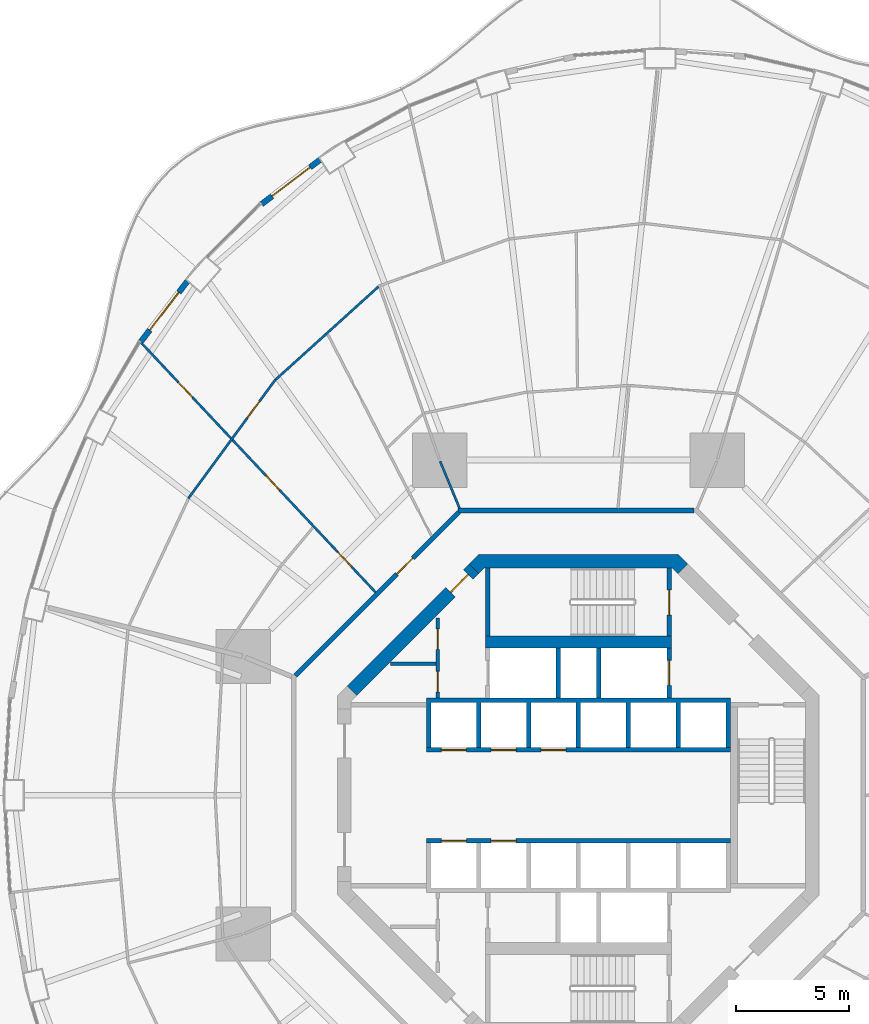
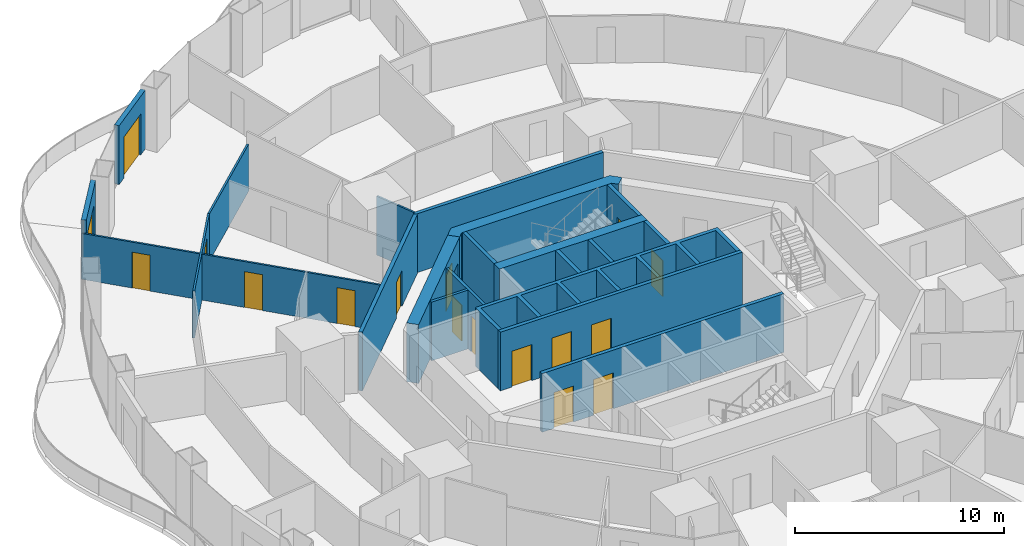
# One storey, part 17 of 22: 21 walls, 17 doors, 17 openings.
"""IFC4 building model written with IfcOpenShell, lengths in metres."""

from ifc_helpers import new_model, si_unit, direction, frame, frame_2d, origin, place, context, subcontext, project, spatial, polyline, rectangle, outline, extrude, material, layer, layer_set, type_object, element, fill, save


model = new_model("IFC4")

# Units and contexts
model_context = context("Model", 3, precision=1e-05, world=origin(), true_north=direction((0.0, 1.0)))
body_context = subcontext(model_context, "Body", "Model", "MODEL_VIEW")
ifc_project = project(units=[si_unit("LENGTHUNIT", "METRE"), si_unit("AREAUNIT", "SQUARE_METRE"), si_unit("VOLUMEUNIT", "CUBIC_METRE"), si_unit("PLANEANGLEUNIT", "RADIAN"), si_unit("MASSUNIT", "GRAM", prefix="KILO")], contexts=[model_context])

# Site, building, storey
site_placement = place(None, origin())
site = spatial("IfcSite", under=ifc_project, at=site_placement, CompositionType="ELEMENT")
building_placement = place(site_placement, origin())
building = spatial("IfcBuilding", under=site, at=building_placement, Name="Nagisa Residences", CompositionType="ELEMENT")
storey_placement = place(building_placement, frame((0.0, 0.0, 41.800048828125)))
storey = spatial("IfcBuildingStorey", under=building, at=storey_placement, Name="L09", CompositionType="ELEMENT", Elevation=41.800048828125)

# Wall
ifc_material_1 = material(Name="Gypsum board on steel studs", Category="steel")
ifc_layer_1 = layer(ifc_material_1, 0.199951171875)
ifc_layer_set_1 = layer_set([ifc_layer_1], Name="Apartment entry wall EI60 200")
wall_type_1 = type_object("IfcWallType", Name="Apartment entry wall EI60 200", PredefinedType="PARTITIONING", material=ifc_layer_set_1)
wall_1_placement = place(storey_placement, frame((5.1044921875, 12.564697265625, 0.0), z_axis=(0.0, 0.0, 1.0), x_axis=(-1.0, 0.0, 0.0)))
element("IfcWall", 1, at=wall_1_placement, inside=storey, type_object=wall_type_1, Name="wall:L09:u08", PredefinedType="PARTITIONING", context=body_context, shape_type="SweptSolid", body=[
    extrude(rectangle(XDim=10.408935546875, YDim=0.199951171875, at=frame_2d((5.20458984375, 0.0))), origin(), (0.0, 0.0, 1.0), 3.43994140625),
])

# Wall, opening, door
wall_2_placement = place(storey_placement, frame((-5.275146484375, 12.494140625, 0.0), z_axis=(0.0, 0.0, 1.0), x_axis=(-0.707106781187, -0.707106781187, 0.0)))
wall_2 = element("IfcWall", 2, at=wall_2_placement, inside=storey, type_object=wall_type_1, Name="wall:L09:u09", PredefinedType="PARTITIONING", context=body_context, shape_type="SweptSolid", body=[
    extrude(rectangle(XDim=10.209228515625, YDim=0.199951171875, at=frame_2d((5.1044921875, 0.0))), origin(), (0.0, 0.0, 1.0), 3.43994140625),
])
opening_1_placement = place(wall_2_placement, frame((2.86962890625, 0.0, 0.0)))
opening_1 = element("IfcOpeningElement", 3, at=opening_1_placement, cuts=wall_2, Name="Opening L09-U01", PredefinedType="OPENING", context=body_context, shape_type="SweptSolid", body=[
    extrude(rectangle(XDim=1.0, YDim=2.10009765625, at=frame_2d((0.5, 1.050048828125))), frame((0.0, 0.10986328125, 0.0), z_axis=(0.0, -1.0, 0.0), x_axis=(1.0, 0.0, 0.0)), (0.0, 0.0, 1.0), 0.219970703125),
])
ifc_material_2 = material(Name="Timber fire door set", Category="wood")
door_type_1 = type_object("IfcDoorType", Name="Apartment entry door FD30S 1000x2100", OperationType="NOTDEFINED", PredefinedType="DOOR", material=ifc_material_2)
door_1_placement = place(opening_1_placement, frame((1.0, 0.0, 0.0), x_axis=(-1.0, 0.0, 0.0)))
door_1 = element("IfcDoor", 4, at=door_1_placement, inside=storey, type_object=door_type_1, Name="Entry door, Apartment 09A", OperationType="SINGLE_SWING_RIGHT", OverallHeight=2.10009765625, OverallWidth=1.0, PredefinedType="DOOR", context=body_context, shape_type="SweptSolid", body=[
    extrude(rectangle(XDim=1.0, YDim=2.10009765625, at=frame_2d((0.5, 1.050048828125))), frame((0.0, 0.02490234375, 0.0), z_axis=(0.0, -1.0, 0.0), x_axis=(1.0, 0.0, 0.0)), (0.0, 0.0, 1.0), 0.050048828125),
])
fill(opening_1, door_1)

# Walls
ifc_material_3 = material(Name="Gypsum board on steel studs", Category="steel")
ifc_layer_2 = layer(ifc_material_3, 0.10009765625)
ifc_layer_set_2 = layer_set([ifc_layer_2], Name="Apartment partition 100")
wall_type_2 = type_object("IfcWallType", Name="Apartment partition 100", PredefinedType="PARTITIONING", material=ifc_layer_set_2)
wall_3_placement = place(storey_placement, frame((-5.24267578125, 12.6572265625, 0.0), z_axis=(0.0, 0.0, 1.0), x_axis=(-0.382719158442, 0.923864733477, 0.0)))
element("IfcWall", 5, at=wall_3_placement, inside=storey, type_object=wall_type_2, Name="wall:L09:u42", PredefinedType="PARTITIONING", context=body_context, shape_type="SweptSolid", body=[
    extrude(rectangle(XDim=2.25, YDim=0.10009765625, at=frame_2d((1.125, 0.0))), origin(), (0.0, 0.0, 1.0), 3.43994140625),
])
wall_4_placement = place(storey_placement, frame((-8.823486328125, 22.440673828125, 0.0), z_axis=(0.0, 0.0, 1.0), x_axis=(-0.741722263338, -0.670707152242, 0.0)))
element("IfcWall", 6, at=wall_4_placement, inside=storey, type_object=wall_type_2, Name="wall:L09:u45", PredefinedType="PARTITIONING", context=body_context, shape_type="SweptSolid", body=[
    extrude(rectangle(XDim=6.109130859375, YDim=0.10009765625, at=frame_2d((3.0546875, 0.0))), origin(), (0.0, 0.0, 1.0), 2.755859375),
])

# Wall, opening, door
wall_5_placement = place(storey_placement, frame((-13.3623046875, 18.35009765625, 0.0), z_axis=(0.0, 0.0, 1.0), x_axis=(-0.591191311491, -0.806531359104, 0.0)))
wall_5 = element("IfcWall", 7, at=wall_5_placement, inside=storey, type_object=wall_type_2, Name="wall:L09:u47", PredefinedType="PARTITIONING", context=body_context, shape_type="SweptSolid", body=[
    extrude(rectangle(XDim=6.510009765625, YDim=0.10009765625, at=frame_2d((3.2548828125, 0.0))), origin(), (0.0, 0.0, 1.0), 2.755859375),
])
opening_2_placement = place(wall_5_placement, frame((1.202392578125, 0.0, 0.0)))
opening_2 = element("IfcOpeningElement", 8, at=opening_2_placement, cuts=wall_5, Name="Opening L09-U06", PredefinedType="OPENING", context=body_context, shape_type="SweptSolid", body=[
    extrude(rectangle(XDim=0.89990234375, YDim=2.10009765625, at=frame_2d((0.449951171875, 1.050048828125))), frame((0.0, 0.06005859375, 0.0), z_axis=(0.0, -1.0, 0.0), x_axis=(1.0, 0.0, 0.0)), (0.0, 0.0, 1.0), 0.1201171875),
])
ifc_material_4 = material(Name="Timber door set", Category="wood")
door_type_2 = type_object("IfcDoorType", Name="Apartment door 900x2100", OperationType="NOTDEFINED", PredefinedType="DOOR", material=ifc_material_4)
door_2_placement = place(opening_2_placement, frame((0.89990234375, 0.0, 0.0), x_axis=(-1.0, 0.0, 0.0)))
door_2 = element("IfcDoor", 9, at=door_2_placement, inside=storey, type_object=door_type_2, Name="Door to family room, Apartment 09A", OperationType="SINGLE_SWING_LEFT", OverallHeight=2.10009765625, OverallWidth=0.89990234375, PredefinedType="DOOR", context=body_context, shape_type="SweptSolid", body=[
    extrude(rectangle(XDim=0.89990234375, YDim=2.10009765625, at=frame_2d((0.449951171875, 1.050048828125))), frame((0.0, 0.02490234375, 0.0), z_axis=(0.0, -1.0, 0.0), x_axis=(1.0, 0.0, 0.0)), (0.0, 0.0, 1.0), 0.050048828125),
])
fill(opening_2, door_2)

# Wall, openings, doors
wall_6_placement = place(storey_placement, frame((-8.953125, 8.95751953125, 0.0), z_axis=(0.0, 0.0, 1.0), x_axis=(-0.684574307023, 0.728943082939, 0.0)))
wall_6 = element("IfcWall", 10, at=wall_6_placement, inside=storey, type_object=wall_type_2, Name="wall:L09:u48", PredefinedType="PARTITIONING", context=body_context, shape_type="SweptSolid", body=[
    extrude(rectangle(XDim=15.23095703125, YDim=0.10009765625, at=frame_2d((7.615478515625, 0.0))), origin(), (0.0, 0.0, 1.0), 2.68701171875),
])
opening_3_placement = place(wall_6_placement, frame((1.5400390625, 0.0, 0.0)))
opening_3 = element("IfcOpeningElement", 11, at=opening_3_placement, cuts=wall_6, Name="Opening L09-U03", PredefinedType="OPENING", context=body_context, shape_type="SweptSolid", body=[
    extrude(rectangle(XDim=0.89990234375, YDim=2.10009765625, at=frame_2d((0.449951171875, 1.050048828125))), frame((0.0, 0.06005859375, 0.0), z_axis=(0.0, -1.0, 0.0), x_axis=(1.0, 0.0, 0.0)), (0.0, 0.0, 1.0), 0.1201171875),
])
opening_4_placement = place(wall_6_placement, frame((6.17431640625, 0.0, 0.0)))
opening_4 = element("IfcOpeningElement", 12, at=opening_4_placement, cuts=wall_6, Name="Opening L09-U05", PredefinedType="OPENING", context=body_context, shape_type="SweptSolid", body=[
    extrude(rectangle(XDim=0.89990234375, YDim=2.10009765625, at=frame_2d((0.449951171875, 1.050048828125))), frame((0.0, 0.06005859375, 0.0), z_axis=(0.0, -1.0, 0.0), x_axis=(1.0, 0.0, 0.0)), (0.0, 0.0, 1.0), 0.1201171875),
])
opening_5_placement = place(wall_6_placement, frame((11.7998046875, 0.0, 0.0)))
opening_5 = element("IfcOpeningElement", 13, at=opening_5_placement, cuts=wall_6, Name="Opening L09-U07", PredefinedType="OPENING", context=body_context, shape_type="SweptSolid", body=[
    extrude(rectangle(XDim=0.89990234375, YDim=2.10009765625, at=frame_2d((0.449951171875, 1.050048828125))), frame((0.0, 0.06005859375, 0.0), z_axis=(0.0, -1.0, 0.0), x_axis=(1.0, 0.0, 0.0)), (0.0, 0.0, 1.0), 0.1201171875),
])
door_3_placement = place(opening_3_placement, origin())
door_3 = element("IfcDoor", 14, at=door_3_placement, inside=storey, type_object=door_type_2, Name="Door to store, Apartment 09A", OperationType="SINGLE_SWING_LEFT", OverallHeight=2.10009765625, OverallWidth=0.89990234375, PredefinedType="DOOR", context=body_context, shape_type="SweptSolid", body=[
    extrude(rectangle(XDim=0.89990234375, YDim=2.10009765625, at=frame_2d((0.449951171875, 1.050048828125))), frame((0.0, 0.02490234375, 0.0), z_axis=(0.0, -1.0, 0.0), x_axis=(1.0, 0.0, 0.0)), (0.0, 0.0, 1.0), 0.050048828125),
])
fill(opening_3, door_3)
door_4_placement = place(opening_4_placement, origin())
door_4 = element("IfcDoor", 15, at=door_4_placement, inside=storey, type_object=door_type_2, Name="Door to kitchen, Apartment 09A", OperationType="SINGLE_SWING_LEFT", OverallHeight=2.10009765625, OverallWidth=0.89990234375, PredefinedType="DOOR", context=body_context, shape_type="SweptSolid", body=[
    extrude(rectangle(XDim=0.89990234375, YDim=2.10009765625, at=frame_2d((0.449951171875, 1.050048828125))), frame((0.0, 0.02490234375, 0.0), z_axis=(0.0, -1.0, 0.0), x_axis=(1.0, 0.0, 0.0)), (0.0, 0.0, 1.0), 0.050048828125),
])
fill(opening_4, door_4)
door_5_placement = place(opening_5_placement, origin())
door_5 = element("IfcDoor", 16, at=door_5_placement, inside=storey, type_object=door_type_2, Name="Door to master bedroom, Apartment 09A", OperationType="SINGLE_SWING_LEFT", OverallHeight=2.10009765625, OverallWidth=0.89990234375, PredefinedType="DOOR", context=body_context, shape_type="SweptSolid", body=[
    extrude(rectangle(XDim=0.89990234375, YDim=2.10009765625, at=frame_2d((0.449951171875, 1.050048828125))), frame((0.0, 0.02490234375, 0.0), z_axis=(0.0, -1.0, 0.0), x_axis=(1.0, 0.0, 0.0)), (0.0, 0.0, 1.0), 0.050048828125),
])
fill(opening_5, door_5)

# Wall, opening, door
ifc_material_5 = material(Name="Precast concrete C40/50", Category="concrete")
ifc_layer_3 = layer(ifc_material_5, 0.25)
ifc_layer_set_3 = layer_set([ifc_layer_3], Name="BALCONY DOOR WALL 250")
wall_type_3 = type_object("IfcWallType", Name="BALCONY DOOR WALL 250", PredefinedType="SOLIDWALL", material=ifc_layer_set_3)
wall_7_placement = place(storey_placement, frame((-13.978515625, 26.0810546875, 0.0), z_axis=(0.0, 0.0, 1.0), x_axis=(0.796022293214, 0.605267303517, 0.0)))
wall_7 = element("IfcWall", 17, at=wall_7_placement, inside=storey, type_object=wall_type_3, Name="wall:L09:bay16", PredefinedType="SOLIDWALL", context=body_context, shape_type="SweptSolid", body=[
    extrude(rectangle(XDim=3.262451171875, YDim=0.25, at=frame_2d((1.63134765625, 0.0))), origin(), (0.0, 0.0, 1.0), 3.43994140625),
])
opening_6_placement = place(wall_7_placement, frame((0.5810546875, 0.0, 0.0)))
opening_6 = element("IfcOpeningElement", 18, at=opening_6_placement, cuts=wall_7, Name="Opening BD-L09-06", PredefinedType="OPENING", context=body_context, shape_type="SweptSolid", body=[
    extrude(rectangle(XDim=2.10009765625, YDim=2.39990234375, at=frame_2d((1.050048828125, 1.199951171875))), frame((0.0, 0.135009765625, 0.0), z_axis=(0.0, -1.0, 0.0), x_axis=(1.0, 0.0, 0.0)), (0.0, 0.0, 1.0), 0.27001953125),
])
ifc_material_6 = material(Name="Aluminium and clear glass", Category="aluminium")
door_type_3 = type_object("IfcDoorType", Name="BALCONY SLIDING DOOR 2100x2400", OperationType="SLIDING_TO_LEFT", PredefinedType="DOOR", material=ifc_material_6)
door_6_placement = place(opening_6_placement, origin())
door_6 = element("IfcDoor", 19, at=door_6_placement, inside=storey, type_object=door_type_3, Name="door:L09:bay16", OperationType="SLIDING_TO_LEFT", OverallHeight=2.39990234375, OverallWidth=2.10009765625, PredefinedType="DOOR", context=body_context, shape_type="SweptSolid", body=[
    extrude(rectangle(XDim=2.10009765625, YDim=2.39990234375, at=frame_2d((1.050048828125, 1.199951171875))), frame((0.0, 0.02490234375, 0.0), z_axis=(0.0, -1.0, 0.0), x_axis=(1.0, 0.0, 0.0)), (0.0, 0.0, 1.0), 0.050048828125),
])
fill(opening_6, door_6)

wall_8_placement = place(storey_placement, frame((-19.308349609375, 20.012939453125, 0.0), z_axis=(0.0, 0.0, 1.0), x_axis=(0.610457147657, 0.792049285635, 0.0)))
wall_8 = element("IfcWall", 20, at=wall_8_placement, inside=storey, type_object=wall_type_3, Name="wall:L09:bay18", PredefinedType="SOLIDWALL", context=body_context, shape_type="SweptSolid", body=[
    extrude(rectangle(XDim=3.3974609375, YDim=0.25, at=frame_2d((1.69873046875, 0.0))), origin(), (0.0, 0.0, 1.0), 3.43994140625),
])
opening_7_placement = place(wall_8_placement, frame((0.648681640625, 0.0, 0.0)))
opening_7 = element("IfcOpeningElement", 21, at=opening_7_placement, cuts=wall_8, Name="Opening BD-L09-07", PredefinedType="OPENING", context=body_context, shape_type="SweptSolid", body=[
    extrude(rectangle(XDim=2.10009765625, YDim=2.39990234375, at=frame_2d((1.050048828125, 1.199951171875))), frame((0.0, 0.135009765625, 0.0), z_axis=(0.0, -1.0, 0.0), x_axis=(1.0, 0.0, 0.0)), (0.0, 0.0, 1.0), 0.27001953125),
])
door_7_placement = place(opening_7_placement, origin())
door_7 = element("IfcDoor", 22, at=door_7_placement, inside=storey, type_object=door_type_3, Name="door:L09:bay18", OperationType="SLIDING_TO_LEFT", OverallHeight=2.39990234375, OverallWidth=2.10009765625, PredefinedType="DOOR", context=body_context, shape_type="SweptSolid", body=[
    extrude(rectangle(XDim=2.10009765625, YDim=2.39990234375, at=frame_2d((1.050048828125, 1.199951171875))), frame((0.0, 0.02490234375, 0.0), z_axis=(0.0, -1.0, 0.0), x_axis=(1.0, 0.0, 0.0)), (0.0, 0.0, 1.0), 0.050048828125),
])
fill(opening_7, door_7)

# Wall, openings, doors
ifc_material_7 = material(Name="Gypsum board on steel studs", Category="steel")
ifc_layer_4 = layer(ifc_material_7, 0.14990234375)
ifc_layer_set_4 = layer_set([ifc_layer_4], Name="Core partition 150")
wall_type_4 = type_object("IfcWallType", Name="Core partition 150", PredefinedType="PARTITIONING", material=ifc_layer_set_4)
wall_9_placement = place(storey_placement, frame((-6.199951171875, 4.300048828125, 0.0), z_axis=(0.0, 0.0, 1.0), x_axis=(0.0, 1.0, 0.0)))
wall_9 = element("IfcWall", 23, at=wall_9_placement, inside=storey, type_object=wall_type_4, Name="wall:L09:NWp", PredefinedType="PARTITIONING", context=body_context, shape_type="SweptSolid", body=[
    extrude(rectangle(XDim=3.52685546875, YDim=0.14990234375, at=frame_2d((1.763427734375, 0.0))), origin(), (0.0, 0.0, 1.0), 3.43994140625),
])
opening_8_placement = place(wall_9_placement, frame((0.262451171875, 0.0, 0.0)))
opening_8 = element("IfcOpeningElement", 24, at=opening_8_placement, cuts=wall_9, Name="Opening L09-C12", PredefinedType="OPENING", context=body_context, shape_type="SweptSolid", body=[
    extrude(rectangle(XDim=0.89990234375, YDim=2.10009765625, at=frame_2d((0.449951171875, 1.050048828125))), frame((0.0, 0.0849609375, 0.0), z_axis=(0.0, -1.0, 0.0), x_axis=(1.0, 0.0, 0.0)), (0.0, 0.0, 1.0), 0.169921875),
])
opening_9_placement = place(wall_9_placement, frame((2.138427734375, 0.0, 0.0)))
opening_9 = element("IfcOpeningElement", 25, at=opening_9_placement, cuts=wall_9, Name="Opening L09-C13", PredefinedType="OPENING", context=body_context, shape_type="SweptSolid", body=[
    extrude(rectangle(XDim=0.89990234375, YDim=2.10009765625, at=frame_2d((0.449951171875, 1.050048828125))), frame((0.0, 0.0849609375, 0.0), z_axis=(0.0, -1.0, 0.0), x_axis=(1.0, 0.0, 0.0)), (0.0, 0.0, 1.0), 0.169921875),
])
ifc_material_8 = material(Name="Steel fire door", Category="steel")
door_type_4 = type_object("IfcDoorType", Name="Fire door EI30 900x2100 single swing", OperationType="NOTDEFINED", PredefinedType="DOOR", material=ifc_material_8)
door_8_placement = place(opening_8_placement, origin())
door_8 = element("IfcDoor", 26, at=door_8_placement, inside=storey, type_object=door_type_4, Name="Hose reel room door L09", OperationType="SINGLE_SWING_RIGHT", OverallHeight=2.10009765625, OverallWidth=0.89990234375, PredefinedType="DOOR", context=body_context, shape_type="SweptSolid", body=[
    extrude(rectangle(XDim=0.89990234375, YDim=2.10009765625, at=frame_2d((0.449951171875, 1.050048828125))), frame((0.0, 0.02490234375, 0.0), z_axis=(0.0, -1.0, 0.0), x_axis=(1.0, 0.0, 0.0)), (0.0, 0.0, 1.0), 0.050048828125),
])
fill(opening_8, door_8)
door_9_placement = place(opening_9_placement, origin())
door_9 = element("IfcDoor", 27, at=door_9_placement, inside=storey, type_object=door_type_4, Name="Cleaner store door L09", OperationType="SINGLE_SWING_RIGHT", OverallHeight=2.10009765625, OverallWidth=0.89990234375, PredefinedType="DOOR", context=body_context, shape_type="SweptSolid", body=[
    extrude(rectangle(XDim=0.89990234375, YDim=2.10009765625, at=frame_2d((0.449951171875, 1.050048828125))), frame((0.0, 0.02490234375, 0.0), z_axis=(0.0, -1.0, 0.0), x_axis=(1.0, 0.0, 0.0)), (0.0, 0.0, 1.0), 0.050048828125),
])
fill(opening_9, door_9)

# Wall
wall_10_placement = place(storey_placement, frame((-8.301025390625, 5.800048828125, 0.0), z_axis=(0.0, 0.0, 1.0), x_axis=(1.0, 0.0, 0.0)))
element("IfcWall", 28, at=wall_10_placement, inside=storey, type_object=wall_type_4, Name="wall:L09:NWq", PredefinedType="PARTITIONING", context=body_context, shape_type="SweptSolid", body=[
    extrude(rectangle(XDim=2.026123046875, YDim=0.14990234375, at=frame_2d((1.01318359375, 0.0))), origin(), (0.0, 0.0, 1.0), 3.43994140625),
])

# Wall, opening, door
ifc_material_9 = material(Name="Concrete C60", Category="concrete")
ifc_layer_5 = layer(ifc_material_9, 0.60009765625)
ifc_layer_set_5 = layer_set([ifc_layer_5], Name="Core shear wall 600")
wall_type_5 = type_object("IfcWallType", Name="Core shear wall 600", PredefinedType="SHEAR", material=ifc_layer_set_5)
wall_11_placement = place(storey_placement, frame((-4.613037109375, 9.98828125, 0.0), z_axis=(0.0, 0.0, 1.0), x_axis=(-0.707106781187, -0.707106781187, 0.0)))
wall_11 = element("IfcWall", 29, at=wall_11_placement, inside=storey, type_object=wall_type_5, Name="wall:L09:core:flat3", PredefinedType="SHEAR", context=body_context, shape_type="SweptSolid", body=[
    extrude(rectangle(XDim=7.601806640625, YDim=0.60009765625, at=frame_2d((3.80078125, 0.0))), origin(), (0.0, 0.0, 1.0), 3.43994140625),
])
opening_10_placement = place(wall_11_placement, frame((0.350830078125, 0.0, 0.0)))
opening_10 = element("IfcOpeningElement", 30, at=opening_10_placement, cuts=wall_11, Name="Opening L09-C21", PredefinedType="OPENING", context=body_context, shape_type="SweptSolid", body=[
    extrude(rectangle(XDim=1.10009765625, YDim=2.10009765625, at=frame_2d((0.550048828125, 1.050048828125))), frame((0.0, 0.31005859375, 0.0), z_axis=(0.0, -1.0, 0.0), x_axis=(1.0, 0.0, 0.0)), (0.0, 0.0, 1.0), 0.6201171875),
])
ifc_material_10 = material(Name="Steel fire door", Category="steel")
door_type_5 = type_object("IfcDoorType", Name="Fire door EI60 1100x2100 single swing", OperationType="NOTDEFINED", PredefinedType="DOOR", material=ifc_material_10)
door_10_placement = place(opening_10_placement, origin())
door_10 = element("IfcDoor", 31, at=door_10_placement, inside=storey, type_object=door_type_5, Name="Service lobby door L09", OperationType="SINGLE_SWING_RIGHT", OverallHeight=2.10009765625, OverallWidth=1.10009765625, PredefinedType="DOOR", context=body_context, shape_type="SweptSolid", body=[
    extrude(rectangle(XDim=1.10009765625, YDim=2.10009765625, at=frame_2d((0.550048828125, 1.050048828125))), frame((0.0, 0.02490234375, 0.0), z_axis=(0.0, -1.0, 0.0), x_axis=(1.0, 0.0, 0.0)), (0.0, 0.0, 1.0), 0.050048828125),
])
fill(opening_10, door_10)

# Wall
wall_12_placement = place(storey_placement, origin())
element("IfcWall", 32, at=wall_12_placement, inside=storey, type_object=wall_type_5, Name="wall:L09:core:flat2", PredefinedType="SHEAR", context=body_context, shape_type="SweptSolid", body=[
    extrude(outline(polyline([(-4.15234375, 10.024658203125), (-4.40087890625, 9.776123046875), (-4.8251953125, 10.200439453125), (-4.40087890625, 10.62451171875), (4.40087890625, 10.62451171875), (4.8251953125, 10.200439453125), (4.40087890625, 9.776123046875), (4.15234375, 10.024658203125), (-4.15234375, 10.024658203125)])), origin(), (0.0, 0.0, 1.0), 3.43994140625),
])

# Wall, opening, door
ifc_material_11 = material(Name="Concrete C60", Category="concrete")
ifc_layer_6 = layer(ifc_material_11, 0.199951171875)
ifc_layer_set_6 = layer_set([ifc_layer_6], Name="Lift shaft wall 200")
wall_type_6 = type_object("IfcWallType", Name="Lift shaft wall 200", PredefinedType="SOLIDWALL", material=ifc_layer_set_6)
wall_13_placement = place(storey_placement, frame((4.0, 4.300048828125, 0.0), z_axis=(0.0, 0.0, 1.0), x_axis=(0.0, 1.0, 0.0)))
wall_13 = element("IfcWall", 33, at=wall_13_placement, inside=storey, type_object=wall_type_6, Name="wall:L09:Nb3", PredefinedType="SOLIDWALL", context=body_context, shape_type="SweptSolid", body=[
    extrude(rectangle(XDim=2.199951171875, YDim=0.199951171875, at=frame_2d((1.10009765625, 0.0))), origin(), (0.0, 0.0, 1.0), 3.43994140625),
])
opening_11_placement = place(wall_13_placement, frame((0.550048828125, 0.0, 0.0)))
opening_11 = element("IfcOpeningElement", 34, at=opening_11_placement, cuts=wall_13, Name="Opening L09-C06", PredefinedType="OPENING", context=body_context, shape_type="SweptSolid", body=[
    extrude(rectangle(XDim=1.10009765625, YDim=2.10009765625, at=frame_2d((0.550048828125, 1.050048828125))), frame((0.0, 0.10986328125, 0.0), z_axis=(0.0, -1.0, 0.0), x_axis=(1.0, 0.0, 0.0)), (0.0, 0.0, 1.0), 0.219970703125),
])
ifc_material_12 = material(Name="Stainless steel", Category="steel")
door_type_6 = type_object("IfcDoorType", Name="Lift landing door 1100x2100", OperationType="DOUBLE_DOOR_SLIDING", PredefinedType="DOOR", material=ifc_material_12)
door_11_placement = place(opening_11_placement, origin())
door_11 = element("IfcDoor", 35, at=door_11_placement, inside=storey, type_object=door_type_6, Name="Landing door FL1 L09", OperationType="DOUBLE_DOOR_SLIDING", OverallHeight=2.10009765625, OverallWidth=1.10009765625, PredefinedType="DOOR", context=body_context, shape_type="SweptSolid", body=[
    extrude(rectangle(XDim=1.10009765625, YDim=2.10009765625, at=frame_2d((0.550048828125, 1.050048828125))), frame((0.0, 0.02490234375, 0.0), z_axis=(0.0, -1.0, 0.0), x_axis=(1.0, 0.0, 0.0)), (0.0, 0.0, 1.0), 0.050048828125),
])
fill(opening_11, door_11)

# Wall, openings, doors
wall_14_placement = place(storey_placement, frame((-6.699951171875, 2.0, 0.0), z_axis=(0.0, 0.0, 1.0), x_axis=(1.0, 0.0, 0.0)))
wall_14 = element("IfcWall", 36, at=wall_14_placement, inside=storey, type_object=wall_type_6, Name="wall:L09:Nfront", PredefinedType="SOLIDWALL", context=body_context, shape_type="SweptSolid", body=[
    extrude(rectangle(XDim=13.39990234375, YDim=0.199951171875, at=frame_2d((6.699951171875, 0.0))), origin(), (0.0, 0.0, 1.0), 3.43994140625),
])
opening_12_placement = place(wall_14_placement, frame((0.64990234375, 0.0, 0.0)))
opening_12 = element("IfcOpeningElement", 37, at=opening_12_placement, cuts=wall_14, Name="Opening L09-C01", PredefinedType="OPENING", context=body_context, shape_type="SweptSolid", body=[
    extrude(rectangle(XDim=1.10009765625, YDim=2.10009765625, at=frame_2d((0.550048828125, 1.050048828125))), frame((0.0, 0.10986328125, 0.0), z_axis=(0.0, -1.0, 0.0), x_axis=(1.0, 0.0, 0.0)), (0.0, 0.0, 1.0), 0.219970703125),
])
opening_13_placement = place(wall_14_placement, frame((2.85009765625, 0.0, 0.0)))
opening_13 = element("IfcOpeningElement", 38, at=opening_13_placement, cuts=wall_14, Name="Opening L09-C02", PredefinedType="OPENING", context=body_context, shape_type="SweptSolid", body=[
    extrude(rectangle(XDim=1.10009765625, YDim=2.10009765625, at=frame_2d((0.550048828125, 1.050048828125))), frame((0.0, 0.10986328125, 0.0), z_axis=(0.0, -1.0, 0.0), x_axis=(1.0, 0.0, 0.0)), (0.0, 0.0, 1.0), 0.219970703125),
])
opening_14_placement = place(wall_14_placement, frame((5.050048828125, 0.0, 0.0)))
opening_14 = element("IfcOpeningElement", 39, at=opening_14_placement, cuts=wall_14, Name="Opening L09-C03", PredefinedType="OPENING", context=body_context, shape_type="SweptSolid", body=[
    extrude(rectangle(XDim=1.10009765625, YDim=2.10009765625, at=frame_2d((0.550048828125, 1.050048828125))), frame((0.0, 0.10986328125, 0.0), z_axis=(0.0, -1.0, 0.0), x_axis=(1.0, 0.0, 0.0)), (0.0, 0.0, 1.0), 0.219970703125),
])
door_12_placement = place(opening_12_placement, origin())
door_12 = element("IfcDoor", 40, at=door_12_placement, inside=storey, type_object=door_type_6, Name="Landing door A1 L09", OperationType="DOUBLE_DOOR_SLIDING", OverallHeight=2.10009765625, OverallWidth=1.10009765625, PredefinedType="DOOR", context=body_context, shape_type="SweptSolid", body=[
    extrude(rectangle(XDim=1.10009765625, YDim=2.10009765625, at=frame_2d((0.550048828125, 1.050048828125))), frame((0.0, 0.02490234375, 0.0), z_axis=(0.0, -1.0, 0.0), x_axis=(1.0, 0.0, 0.0)), (0.0, 0.0, 1.0), 0.050048828125),
])
fill(opening_12, door_12)
door_13_placement = place(opening_13_placement, origin())
door_13 = element("IfcDoor", 41, at=door_13_placement, inside=storey, type_object=door_type_6, Name="Landing door A2 L09", OperationType="DOUBLE_DOOR_SLIDING", OverallHeight=2.10009765625, OverallWidth=1.10009765625, PredefinedType="DOOR", context=body_context, shape_type="SweptSolid", body=[
    extrude(rectangle(XDim=1.10009765625, YDim=2.10009765625, at=frame_2d((0.550048828125, 1.050048828125))), frame((0.0, 0.02490234375, 0.0), z_axis=(0.0, -1.0, 0.0), x_axis=(1.0, 0.0, 0.0)), (0.0, 0.0, 1.0), 0.050048828125),
])
fill(opening_13, door_13)
door_14_placement = place(opening_14_placement, origin())
door_14 = element("IfcDoor", 42, at=door_14_placement, inside=storey, type_object=door_type_6, Name="Landing door A3 L09", OperationType="DOUBLE_DOOR_SLIDING", OverallHeight=2.10009765625, OverallWidth=1.10009765625, PredefinedType="DOOR", context=body_context, shape_type="SweptSolid", body=[
    extrude(rectangle(XDim=1.10009765625, YDim=2.10009765625, at=frame_2d((0.550048828125, 1.050048828125))), frame((0.0, 0.02490234375, 0.0), z_axis=(0.0, -1.0, 0.0), x_axis=(1.0, 0.0, 0.0)), (0.0, 0.0, 1.0), 0.050048828125),
])
fill(opening_14, door_14)

wall_15_placement = place(storey_placement, frame((-6.699951171875, -2.0, 0.0), z_axis=(0.0, 0.0, 1.0), x_axis=(1.0, 0.0, 0.0)))
wall_15 = element("IfcWall", 43, at=wall_15_placement, inside=storey, type_object=wall_type_6, Name="wall:L09:Sfront", PredefinedType="SOLIDWALL", context=body_context, shape_type="SweptSolid", body=[
    extrude(rectangle(XDim=13.39990234375, YDim=0.199951171875, at=frame_2d((6.699951171875, 0.0))), origin(), (0.0, 0.0, 1.0), 3.43994140625),
])
opening_15_placement = place(wall_15_placement, frame((0.64990234375, 0.0, 0.0)))
opening_15 = element("IfcOpeningElement", 44, at=opening_15_placement, cuts=wall_15, Name="Opening L09-C04", PredefinedType="OPENING", context=body_context, shape_type="SweptSolid", body=[
    extrude(rectangle(XDim=1.10009765625, YDim=2.10009765625, at=frame_2d((0.550048828125, 1.050048828125))), frame((0.0, 0.10986328125, 0.0), z_axis=(0.0, -1.0, 0.0), x_axis=(1.0, 0.0, 0.0)), (0.0, 0.0, 1.0), 0.219970703125),
])
opening_16_placement = place(wall_15_placement, frame((2.85009765625, 0.0, 0.0)))
opening_16 = element("IfcOpeningElement", 45, at=opening_16_placement, cuts=wall_15, Name="Opening L09-C05", PredefinedType="OPENING", context=body_context, shape_type="SweptSolid", body=[
    extrude(rectangle(XDim=1.10009765625, YDim=2.10009765625, at=frame_2d((0.550048828125, 1.050048828125))), frame((0.0, 0.10986328125, 0.0), z_axis=(0.0, -1.0, 0.0), x_axis=(1.0, 0.0, 0.0)), (0.0, 0.0, 1.0), 0.219970703125),
])
door_15_placement = place(opening_15_placement, origin())
door_15 = element("IfcDoor", 46, at=door_15_placement, inside=storey, type_object=door_type_6, Name="Landing door A4 L09", OperationType="DOUBLE_DOOR_SLIDING", OverallHeight=2.10009765625, OverallWidth=1.10009765625, PredefinedType="DOOR", context=body_context, shape_type="SweptSolid", body=[
    extrude(rectangle(XDim=1.10009765625, YDim=2.10009765625, at=frame_2d((0.550048828125, 1.050048828125))), frame((0.0, 0.02490234375, 0.0), z_axis=(0.0, -1.0, 0.0), x_axis=(1.0, 0.0, 0.0)), (0.0, 0.0, 1.0), 0.050048828125),
])
fill(opening_15, door_15)
door_16_placement = place(opening_16_placement, origin())
door_16 = element("IfcDoor", 47, at=door_16_placement, inside=storey, type_object=door_type_6, Name="Landing door A5 L09", OperationType="DOUBLE_DOOR_SLIDING", OverallHeight=2.10009765625, OverallWidth=1.10009765625, PredefinedType="DOOR", context=body_context, shape_type="SweptSolid", body=[
    extrude(rectangle(XDim=1.10009765625, YDim=2.10009765625, at=frame_2d((0.550048828125, 1.050048828125))), frame((0.0, 0.02490234375, 0.0), z_axis=(0.0, -1.0, 0.0), x_axis=(1.0, 0.0, 0.0)), (0.0, 0.0, 1.0), 0.050048828125),
])
fill(opening_16, door_16)

# Walls
for number, where, z_axis, x_axis, name in (
    (48, (-0.89990234375, 4.300048828125, 0.0), (0.0, 0.0, 1.0), (0.0, 1.0, 0.0), "wall:L09:Nb1"),
    (49, (0.89990234375, 4.300048828125, 0.0), (0.0, 0.0, 1.0), (0.0, 1.0, 0.0), "wall:L09:Nb2"),
):
    element("IfcWall", number, at=place(storey_placement, frame(where, z_axis=z_axis, x_axis=x_axis)), inside=storey, type_object=wall_type_6, Name=name, PredefinedType="SOLIDWALL", context=body_context, shape_type="SweptSolid", body=[
        extrude(rectangle(XDim=2.199951171875, YDim=0.199951171875, at=frame_2d((1.10009765625, 0.0))), origin(), (0.0, 0.0, 1.0), 3.43994140625),
    ])
wall_16_placement = place(storey_placement, origin())
element("IfcWall", 50, at=wall_16_placement, inside=storey, type_object=wall_type_6, Name="wall:L09:Nback", PredefinedType="SOLIDWALL", context=body_context, shape_type="SweptSolid", body=[
    extrude(outline(polyline([(-6.5, 2.10009765625), (-6.699951171875, 2.10009765625), (-6.699951171875, 4.300048828125), (6.699951171875, 4.300048828125), (6.699951171875, 2.10009765625), (6.5, 2.10009765625), (6.5, 4.10009765625), (4.5, 4.10009765625), (4.5, 2.10009765625), (4.300048828125, 2.10009765625), (4.300048828125, 4.10009765625), (2.300048828125, 4.10009765625), (2.300048828125, 2.10009765625), (2.10009765625, 2.10009765625), (2.10009765625, 4.10009765625), (0.10009765625, 4.10009765625), (0.10009765625, 2.10009765625), (-0.10009765625, 2.10009765625), (-0.10009765625, 4.10009765625), (-2.10009765625, 4.10009765625), (-2.10009765625, 2.10009765625), (-2.300048828125, 2.10009765625), (-2.300048828125, 4.10009765625), (-4.300048828125, 4.10009765625), (-4.300048828125, 2.10009765625), (-4.5, 2.10009765625), (-4.5, 4.10009765625), (-6.5, 4.10009765625), (-6.5, 2.10009765625)])), origin(), (0.0, 0.0, 1.0), 3.43994140625),
])

# Wall, opening, door
ifc_material_13 = material(Name="Concrete C60", Category="concrete")
ifc_layer_7 = layer(ifc_material_13, 0.199951171875)
ifc_layer_set_7 = layer_set([ifc_layer_7], Name="Stair enclosure wall 200")
wall_type_7 = type_object("IfcWallType", Name="Stair enclosure wall 200", PredefinedType="SOLIDWALL", material=ifc_layer_set_7)
wall_17_placement = place(storey_placement, frame((4.0, 7.024658203125, 0.0), z_axis=(0.0, 0.0, 1.0), x_axis=(0.0, 1.0, 0.0)))
wall_17 = element("IfcWall", 51, at=wall_17_placement, inside=storey, type_object=wall_type_7, Name="wall:L09:SN_e", PredefinedType="SOLIDWALL", context=body_context, shape_type="SweptSolid", body=[
    extrude(rectangle(XDim=3.0, YDim=0.199951171875, at=frame_2d((1.5, 0.0))), origin(), (0.0, 0.0, 1.0), 3.43994140625),
])
opening_17_placement = place(wall_17_placement, frame((0.92529296875, 0.0, 0.0)))
opening_17 = element("IfcOpeningElement", 52, at=opening_17_placement, cuts=wall_17, Name="Opening L09-C10", PredefinedType="OPENING", context=body_context, shape_type="SweptSolid", body=[
    extrude(rectangle(XDim=1.10009765625, YDim=2.10009765625, at=frame_2d((0.550048828125, 1.050048828125))), frame((0.0, 0.10986328125, 0.0), z_axis=(0.0, -1.0, 0.0), x_axis=(1.0, 0.0, 0.0)), (0.0, 0.0, 1.0), 0.219970703125),
])
ifc_material_14 = material(Name="Steel fire door", Category="steel")
door_type_7 = type_object("IfcDoorType", Name="Fire door EI90 1100x2100 single swing", OperationType="NOTDEFINED", PredefinedType="DOOR", material=ifc_material_14)
door_17_placement = place(opening_17_placement, origin())
door_17 = element("IfcDoor", 53, at=door_17_placement, inside=storey, type_object=door_type_7, Name="Stair door ST-N L09", OperationType="SINGLE_SWING_LEFT", OverallHeight=2.10009765625, OverallWidth=1.10009765625, PredefinedType="DOOR", context=body_context, shape_type="SweptSolid", body=[
    extrude(rectangle(XDim=1.10009765625, YDim=2.10009765625, at=frame_2d((0.550048828125, 1.050048828125))), frame((0.0, 0.02490234375, 0.0), z_axis=(0.0, -1.0, 0.0), x_axis=(1.0, 0.0, 0.0)), (0.0, 0.0, 1.0), 0.050048828125),
])
fill(opening_17, door_17)

# Walls
wall_18_placement = place(storey_placement, origin())
element("IfcWall", 54, at=wall_18_placement, inside=storey, type_object=wall_type_7, Name="wall:L09:SN_w", PredefinedType="SOLIDWALL", context=body_context, shape_type="SweptSolid", body=[
    extrude(outline(polyline([(-3.89990234375, 7.024658203125), (-4.10009765625, 7.024658203125), (-4.10009765625, 10.024658203125), (-3.89990234375, 10.024658203125), (-3.89990234375, 7.024658203125)])), origin(), (0.0, 0.0, 1.0), 3.43994140625),
])
wall_19_placement = place(storey_placement, origin())
element("IfcWall", 55, at=wall_19_placement, inside=storey, type_object=wall_type_7, Name="wall:L09:SN_s", PredefinedType="SOLIDWALL", context=body_context, shape_type="SweptSolid", body=[
    extrude(outline(polyline([(4.10009765625, 6.5), (-4.10009765625, 6.5), (-4.10009765625, 7.024658203125), (4.10009765625, 7.024658203125), (4.10009765625, 6.5)])), origin(), (0.0, 0.0, 1.0), 3.43994140625),
])

save(model, "model.ifc")
